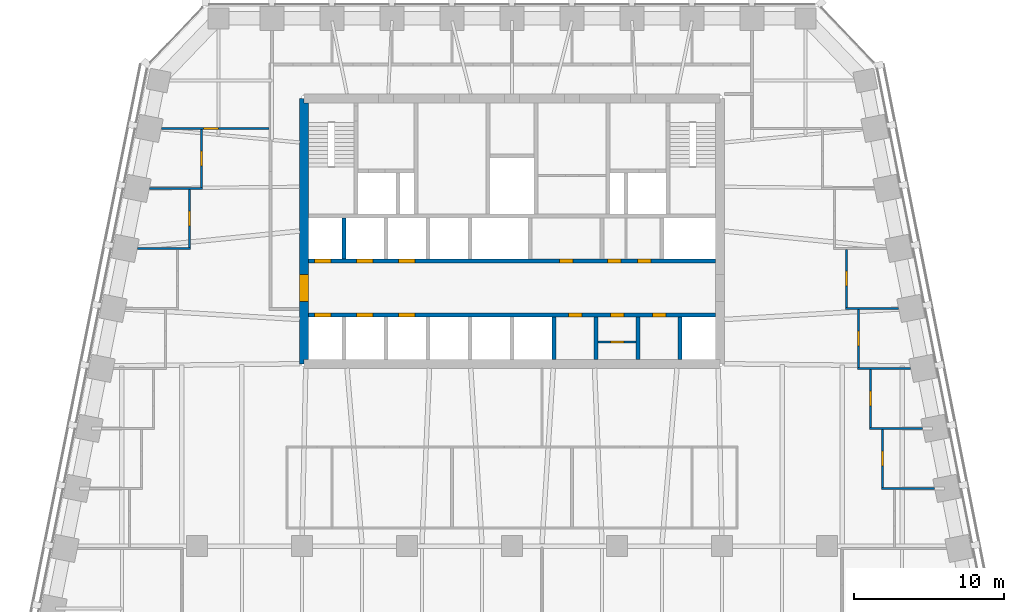
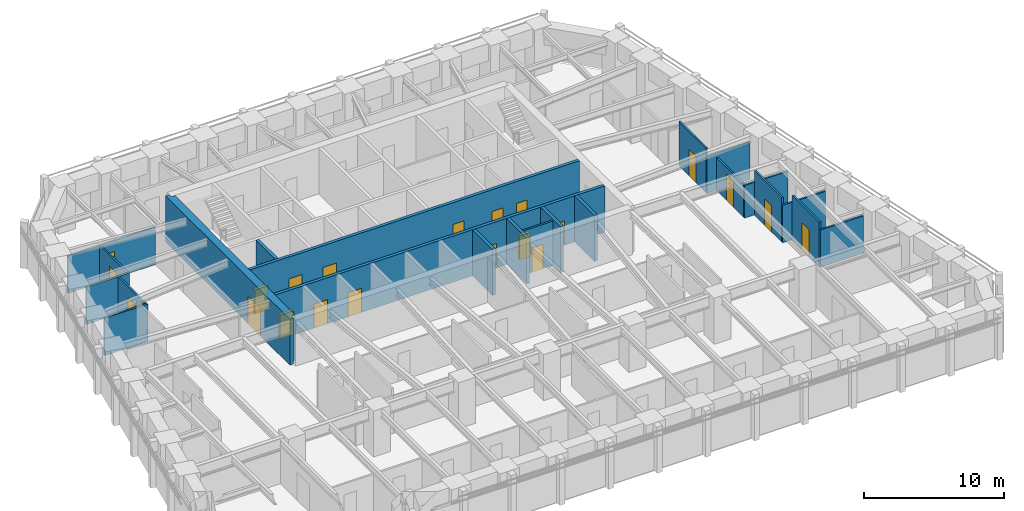
# One storey, part 7 of 11: 22 walls, 21 doors, 21 openings.
"""IFC4 building model written with IfcOpenShell, lengths in metres."""

from ifc_helpers import new_model, si_unit, direction, frame, frame_2d, origin, place, context, subcontext, project, spatial, polyline, rectangle, outline, extrude, material, layer, layer_set, type_object, element, fill, save


model = new_model("IFC4")

# Units and contexts
model_context = context("Model", 3, precision=1e-05, world=origin(), true_north=direction((0.0, 1.0)))
body_context = subcontext(model_context, "Body", "Model", "MODEL_VIEW")
ifc_project = project(units=[si_unit("LENGTHUNIT", "METRE"), si_unit("AREAUNIT", "SQUARE_METRE"), si_unit("VOLUMEUNIT", "CUBIC_METRE"), si_unit("PLANEANGLEUNIT", "RADIAN"), si_unit("MASSUNIT", "GRAM", prefix="KILO")], contexts=[model_context])

# Site, building, storey
site_placement = place(None, origin())
site = spatial("IfcSite", under=ifc_project, at=site_placement, CompositionType="ELEMENT")
building_placement = place(site_placement, origin())
building = spatial("IfcBuilding", under=site, at=building_placement, Name="Isbrekke Arena Tower", CompositionType="ELEMENT")
storey_placement = place(building_placement, frame((0.0, 0.0, 206.0)))
storey = spatial("IfcBuildingStorey", under=building, at=storey_placement, Name="L47", CompositionType="ELEMENT", Elevation=206.0)

# Wall, opening, door
ifc_material_1 = material(Name="Concrete B55 (C55/67)", Category="concrete")
ifc_layer_1 = layer(ifc_material_1, 0.60009765625)
ifc_layer_set_1 = layer_set([ifc_layer_1], Name="CW4 CORE WALL 600")
wall_type_1 = type_object("IfcWallType", Name="CW4 CORE WALL 600", PredefinedType="SHEAR", material=ifc_layer_set_1)
wall_1_placement = place(storey_placement, frame((-13.85009765625, 23.85009765625, 0.0), z_axis=(0.0, 0.0, 1.0), x_axis=(0.0, -1.0, 0.0)))
wall_1 = element("IfcWall", 1, at=wall_1_placement, inside=storey, type_object=wall_type_1, Name="Core wall W L47", PredefinedType="SHEAR", context=body_context, shape_type="SweptSolid", body=[
    extrude(outline(polyline([(0.0, -0.300048828125), (17.7001953125, -0.300048828125), (17.7001953125, 0.0), (17.400146484375, 0.0), (17.400146484375, 0.300048828125), (0.300048828125, 0.300048828125), (0.300048828125, 0.0), (0.0, 0.0), (0.0, -0.300048828125)])), origin(), (0.0, 0.0, 1.0), 4.0),
])
opening_1_placement = place(wall_1_placement, frame((11.75, 0.0, 0.0)))
opening_1 = element("IfcOpeningElement", 2, at=opening_1_placement, cuts=wall_1, Name="Opening D1", PredefinedType="OPENING", context=body_context, shape_type="SweptSolid", body=[
    extrude(rectangle(XDim=1.800048828125, YDim=2.39990234375, at=frame_2d((0.89990234375, 1.199951171875))), frame((0.0, 0.31494140625, 0.0), z_axis=(0.0, -1.0, 0.0), x_axis=(1.0, 0.0, 0.0)), (0.0, 0.0, 1.0), 0.6298828125),
])
ifc_material_2 = material(Name="Steel-framed glazed fire door", Category="steel")
door_type_1 = type_object("IfcDoorType", Name="D1 CORE LOBBY DOOR 1800 x 2400", OperationType="DOUBLE_DOOR_SINGLE_SWING", PredefinedType="DOOR", material=ifc_material_2)
door_1_placement = place(opening_1_placement, origin())
door_1 = element("IfcDoor", 3, at=door_1_placement, inside=storey, type_object=door_type_1, Name="D1 lift lobby door west L47", OperationType="DOUBLE_DOOR_SINGLE_SWING", OverallHeight=2.39990234375, OverallWidth=1.800048828125, PredefinedType="DOOR", context=body_context, shape_type="SweptSolid", body=[
    extrude(rectangle(XDim=1.800048828125, YDim=2.39990234375, at=frame_2d((0.89990234375, 1.199951171875))), frame((0.0, 0.2998046875, 0.0), z_axis=(0.0, -1.0, 0.0), x_axis=(1.0, 0.0, 0.0)), (0.0, 0.0, 1.0), 0.599609375),
])
fill(opening_1, door_1)

# Wall, openings, doors
ifc_material_3 = material(Name="Concrete B45 (C45/55)", Category="concrete")
ifc_layer_2 = layer(ifc_material_3, 0.25)
ifc_layer_set_2 = layer_set([ifc_layer_2], Name="CW6 SHAFT WALL 250")
wall_type_2 = type_object("IfcWallType", Name="CW6 SHAFT WALL 250", PredefinedType="SHEAR", material=ifc_layer_set_2)
wall_2_placement = place(storey_placement, frame((-13.550048828125, 9.39990234375, 0.0), z_axis=(0.0, 0.0, 1.0), x_axis=(1.0, 0.0, 0.0)))
wall_2 = element("IfcWall", 4, at=wall_2_placement, inside=storey, type_object=wall_type_2, Name="Core wall LS L47", PredefinedType="SHEAR", context=body_context, shape_type="SweptSolid", body=[
    extrude(rectangle(XDim=27.10009765625, YDim=0.25, at=frame_2d((13.550048828125, 0.0))), origin(), (0.0, 0.0, 1.0), 4.0),
])
opening_2_placement = place(wall_2_placement, frame((0.39990234375, 0.0, 0.0)))
opening_2 = element("IfcOpeningElement", 5, at=opening_2_placement, cuts=wall_2, Name="Opening LD1", PredefinedType="OPENING", context=body_context, shape_type="SweptSolid", body=[
    extrude(rectangle(XDim=1.10009765625, YDim=2.10009765625, at=frame_2d((0.550048828125, 1.050048828125))), frame((0.0, 0.139892578125, 0.0), z_axis=(0.0, -1.0, 0.0), x_axis=(1.0, 0.0, 0.0)), (0.0, 0.0, 1.0), 0.27978515625),
])
opening_3_placement = place(wall_2_placement, frame((3.199951171875, 0.0, 0.0)))
opening_3 = element("IfcOpeningElement", 6, at=opening_3_placement, cuts=wall_2, Name="Opening LD1", PredefinedType="OPENING", context=body_context, shape_type="SweptSolid", body=[
    extrude(rectangle(XDim=1.10009765625, YDim=2.10009765625, at=frame_2d((0.550048828125, 1.050048828125))), frame((0.0, 0.139892578125, 0.0), z_axis=(0.0, -1.0, 0.0), x_axis=(1.0, 0.0, 0.0)), (0.0, 0.0, 1.0), 0.27978515625),
])
opening_4_placement = place(wall_2_placement, frame((6.0, 0.0, 0.0)))
opening_4 = element("IfcOpeningElement", 7, at=opening_4_placement, cuts=wall_2, Name="Opening LD1", PredefinedType="OPENING", context=body_context, shape_type="SweptSolid", body=[
    extrude(rectangle(XDim=1.10009765625, YDim=2.10009765625, at=frame_2d((0.550048828125, 1.050048828125))), frame((0.0, 0.139892578125, 0.0), z_axis=(0.0, -1.0, 0.0), x_axis=(1.0, 0.0, 0.0)), (0.0, 0.0, 1.0), 0.27978515625),
])
opening_5_placement = place(wall_2_placement, frame((17.300048828125, 0.0, 0.0)))
opening_5 = element("IfcOpeningElement", 8, at=opening_5_placement, cuts=wall_2, Name="Opening D5", PredefinedType="OPENING", context=body_context, shape_type="SweptSolid", body=[
    extrude(rectangle(XDim=0.89990234375, YDim=2.10009765625, at=frame_2d((0.449951171875, 1.050048828125))), frame((0.0, 0.139892578125, 0.0), z_axis=(0.0, -1.0, 0.0), x_axis=(1.0, 0.0, 0.0)), (0.0, 0.0, 1.0), 0.27978515625),
])
opening_6_placement = place(wall_2_placement, frame((20.10009765625, 0.0, 0.0)))
opening_6 = element("IfcOpeningElement", 9, at=opening_6_placement, cuts=wall_2, Name="Opening D5", PredefinedType="OPENING", context=body_context, shape_type="SweptSolid", body=[
    extrude(rectangle(XDim=0.89990234375, YDim=2.10009765625, at=frame_2d((0.449951171875, 1.050048828125))), frame((0.0, 0.139892578125, 0.0), z_axis=(0.0, -1.0, 0.0), x_axis=(1.0, 0.0, 0.0)), (0.0, 0.0, 1.0), 0.27978515625),
])
opening_7_placement = place(wall_2_placement, frame((22.89990234375, 0.0, 0.0)))
opening_7 = element("IfcOpeningElement", 10, at=opening_7_placement, cuts=wall_2, Name="Opening D5", PredefinedType="OPENING", context=body_context, shape_type="SweptSolid", body=[
    extrude(rectangle(XDim=0.89990234375, YDim=2.10009765625, at=frame_2d((0.449951171875, 1.050048828125))), frame((0.0, 0.139892578125, 0.0), z_axis=(0.0, -1.0, 0.0), x_axis=(1.0, 0.0, 0.0)), (0.0, 0.0, 1.0), 0.27978515625),
])
ifc_material_4 = material(Name="Steel fire door", Category="steel")
door_type_2 = type_object("IfcDoorType", Name="D5 SERVICE DOOR 900 x 2100", OperationType="SINGLE_SWING_LEFT", PredefinedType="DOOR", material=ifc_material_4)
door_2_placement = place(opening_5_placement, origin())
door_2 = element("IfcDoor", 11, at=door_2_placement, inside=storey, type_object=door_type_2, Name="D5 archive door L47", OperationType="SINGLE_SWING_LEFT", OverallHeight=2.10009765625, OverallWidth=0.89990234375, PredefinedType="DOOR", context=body_context, shape_type="SweptSolid", body=[
    extrude(rectangle(XDim=0.89990234375, YDim=2.10009765625, at=frame_2d((0.449951171875, 1.050048828125))), frame((0.0, 0.124755859375, 0.0), z_axis=(0.0, -1.0, 0.0), x_axis=(1.0, 0.0, 0.0)), (0.0, 0.0, 1.0), 0.24951171875),
])
fill(opening_5, door_2)
door_3_placement = place(opening_6_placement, origin())
door_3 = element("IfcDoor", 12, at=door_3_placement, inside=storey, type_object=door_type_2, Name="D5 mothers' room door L47", OperationType="SINGLE_SWING_LEFT", OverallHeight=2.10009765625, OverallWidth=0.89990234375, PredefinedType="DOOR", context=body_context, shape_type="SweptSolid", body=[
    extrude(rectangle(XDim=0.89990234375, YDim=2.10009765625, at=frame_2d((0.449951171875, 1.050048828125))), frame((0.0, 0.124755859375, 0.0), z_axis=(0.0, -1.0, 0.0), x_axis=(1.0, 0.0, 0.0)), (0.0, 0.0, 1.0), 0.24951171875),
])
fill(opening_6, door_3)
door_4_placement = place(opening_7_placement, origin())
door_4 = element("IfcDoor", 13, at=door_4_placement, inside=storey, type_object=door_type_2, Name="D5 technical room door L47", OperationType="SINGLE_SWING_LEFT", OverallHeight=2.10009765625, OverallWidth=0.89990234375, PredefinedType="DOOR", context=body_context, shape_type="SweptSolid", body=[
    extrude(rectangle(XDim=0.89990234375, YDim=2.10009765625, at=frame_2d((0.449951171875, 1.050048828125))), frame((0.0, 0.124755859375, 0.0), z_axis=(0.0, -1.0, 0.0), x_axis=(1.0, 0.0, 0.0)), (0.0, 0.0, 1.0), 0.24951171875),
])
fill(opening_7, door_4)
ifc_material_5 = material(Name="Stainless steel lift landing door", Category="steel")
door_type_3 = type_object("IfcDoorType", Name="LD1 LIFT LANDING DOOR 1100 x 2100", OperationType="SLIDING_TO_LEFT", PredefinedType="DOOR", material=ifc_material_5)
door_5_placement = place(opening_2_placement, origin())
door_5 = element("IfcDoor", 14, at=door_5_placement, inside=storey, type_object=door_type_3, Name="LD1 lift landing door LC L47", OperationType="SLIDING_TO_LEFT", OverallHeight=2.10009765625, OverallWidth=1.10009765625, PredefinedType="DOOR", context=body_context, shape_type="SweptSolid", body=[
    extrude(rectangle(XDim=1.10009765625, YDim=2.10009765625, at=frame_2d((0.550048828125, 1.050048828125))), frame((0.0, 0.124755859375, 0.0), z_axis=(0.0, -1.0, 0.0), x_axis=(1.0, 0.0, 0.0)), (0.0, 0.0, 1.0), 0.24951171875),
])
fill(opening_2, door_5)
door_6_placement = place(opening_3_placement, origin())
door_6 = element("IfcDoor", 15, at=door_6_placement, inside=storey, type_object=door_type_3, Name="LD1 lift landing door LC L47", OperationType="SLIDING_TO_LEFT", OverallHeight=2.10009765625, OverallWidth=1.10009765625, PredefinedType="DOOR", context=body_context, shape_type="SweptSolid", body=[
    extrude(rectangle(XDim=1.10009765625, YDim=2.10009765625, at=frame_2d((0.550048828125, 1.050048828125))), frame((0.0, 0.124755859375, 0.0), z_axis=(0.0, -1.0, 0.0), x_axis=(1.0, 0.0, 0.0)), (0.0, 0.0, 1.0), 0.24951171875),
])
fill(opening_3, door_6)
door_7_placement = place(opening_4_placement, origin())
door_7 = element("IfcDoor", 16, at=door_7_placement, inside=storey, type_object=door_type_3, Name="LD1 lift landing door LC L47", OperationType="SLIDING_TO_LEFT", OverallHeight=2.10009765625, OverallWidth=1.10009765625, PredefinedType="DOOR", context=body_context, shape_type="SweptSolid", body=[
    extrude(rectangle(XDim=1.10009765625, YDim=2.10009765625, at=frame_2d((0.550048828125, 1.050048828125))), frame((0.0, 0.124755859375, 0.0), z_axis=(0.0, -1.0, 0.0), x_axis=(1.0, 0.0, 0.0)), (0.0, 0.0, 1.0), 0.24951171875),
])
fill(opening_4, door_7)

wall_3_placement = place(storey_placement, frame((-13.550048828125, 13.0, 0.0), z_axis=(0.0, 0.0, 1.0), x_axis=(1.0, 0.0, 0.0)))
wall_3 = element("IfcWall", 17, at=wall_3_placement, inside=storey, type_object=wall_type_2, Name="Core wall LN L47", PredefinedType="SHEAR", context=body_context, shape_type="SweptSolid", body=[
    extrude(rectangle(XDim=27.10009765625, YDim=0.25, at=frame_2d((13.550048828125, 0.0))), origin(), (0.0, 0.0, 1.0), 4.0),
])
opening_8_placement = place(wall_3_placement, frame((0.39990234375, 0.0, 0.0)))
opening_8 = element("IfcOpeningElement", 18, at=opening_8_placement, cuts=wall_3, Name="Opening LD1", PredefinedType="OPENING", context=body_context, shape_type="SweptSolid", body=[
    extrude(rectangle(XDim=1.10009765625, YDim=2.10009765625, at=frame_2d((0.550048828125, 1.050048828125))), frame((0.0, 0.139892578125, 0.0), z_axis=(0.0, -1.0, 0.0), x_axis=(1.0, 0.0, 0.0)), (0.0, 0.0, 1.0), 0.27978515625),
])
opening_9_placement = place(wall_3_placement, frame((3.199951171875, 0.0, 0.0)))
opening_9 = element("IfcOpeningElement", 19, at=opening_9_placement, cuts=wall_3, Name="Opening LD1", PredefinedType="OPENING", context=body_context, shape_type="SweptSolid", body=[
    extrude(rectangle(XDim=1.10009765625, YDim=2.10009765625, at=frame_2d((0.550048828125, 1.050048828125))), frame((0.0, 0.139892578125, 0.0), z_axis=(0.0, -1.0, 0.0), x_axis=(1.0, 0.0, 0.0)), (0.0, 0.0, 1.0), 0.27978515625),
])
opening_10_placement = place(wall_3_placement, frame((6.0, 0.0, 0.0)))
opening_10 = element("IfcOpeningElement", 20, at=opening_10_placement, cuts=wall_3, Name="Opening LD1", PredefinedType="OPENING", context=body_context, shape_type="SweptSolid", body=[
    extrude(rectangle(XDim=1.10009765625, YDim=2.10009765625, at=frame_2d((0.550048828125, 1.050048828125))), frame((0.0, 0.139892578125, 0.0), z_axis=(0.0, -1.0, 0.0), x_axis=(1.0, 0.0, 0.0)), (0.0, 0.0, 1.0), 0.27978515625),
])
opening_11_placement = place(wall_3_placement, frame((16.699951171875, 0.0, 0.0)))
opening_11 = element("IfcOpeningElement", 21, at=opening_11_placement, cuts=wall_3, Name="Opening D5", PredefinedType="OPENING", context=body_context, shape_type="SweptSolid", body=[
    extrude(rectangle(XDim=0.89990234375, YDim=2.10009765625, at=frame_2d((0.449951171875, 1.050048828125))), frame((0.0, 0.139892578125, 0.0), z_axis=(0.0, -1.0, 0.0), x_axis=(1.0, 0.0, 0.0)), (0.0, 0.0, 1.0), 0.27978515625),
])
opening_12_placement = place(wall_3_placement, frame((19.89990234375, 0.0, 0.0)))
opening_12 = element("IfcOpeningElement", 22, at=opening_12_placement, cuts=wall_3, Name="Opening D5", PredefinedType="OPENING", context=body_context, shape_type="SweptSolid", body=[
    extrude(rectangle(XDim=0.89990234375, YDim=2.10009765625, at=frame_2d((0.449951171875, 1.050048828125))), frame((0.0, 0.139892578125, 0.0), z_axis=(0.0, -1.0, 0.0), x_axis=(1.0, 0.0, 0.0)), (0.0, 0.0, 1.0), 0.27978515625),
])
opening_13_placement = place(wall_3_placement, frame((21.89990234375, 0.0, 0.0)))
opening_13 = element("IfcOpeningElement", 23, at=opening_13_placement, cuts=wall_3, Name="Opening D5", PredefinedType="OPENING", context=body_context, shape_type="SweptSolid", body=[
    extrude(rectangle(XDim=0.89990234375, YDim=2.10009765625, at=frame_2d((0.449951171875, 1.050048828125))), frame((0.0, 0.139892578125, 0.0), z_axis=(0.0, -1.0, 0.0), x_axis=(1.0, 0.0, 0.0)), (0.0, 0.0, 1.0), 0.27978515625),
])
door_8_placement = place(opening_11_placement, origin())
door_8 = element("IfcDoor", 24, at=door_8_placement, inside=storey, type_object=door_type_2, Name="D5 meeting room door L47", OperationType="SINGLE_SWING_LEFT", OverallHeight=2.10009765625, OverallWidth=0.89990234375, PredefinedType="DOOR", context=body_context, shape_type="SweptSolid", body=[
    extrude(rectangle(XDim=0.89990234375, YDim=2.10009765625, at=frame_2d((0.449951171875, 1.050048828125))), frame((0.0, 0.124755859375, 0.0), z_axis=(0.0, -1.0, 0.0), x_axis=(1.0, 0.0, 0.0)), (0.0, 0.0, 1.0), 0.24951171875),
])
fill(opening_11, door_8)
door_9_placement = place(opening_12_placement, origin())
door_9 = element("IfcDoor", 25, at=door_9_placement, inside=storey, type_object=door_type_2, Name="D5 cleaner's store door L47", OperationType="SINGLE_SWING_LEFT", OverallHeight=2.10009765625, OverallWidth=0.89990234375, PredefinedType="DOOR", context=body_context, shape_type="SweptSolid", body=[
    extrude(rectangle(XDim=0.89990234375, YDim=2.10009765625, at=frame_2d((0.449951171875, 1.050048828125))), frame((0.0, 0.124755859375, 0.0), z_axis=(0.0, -1.0, 0.0), x_axis=(1.0, 0.0, 0.0)), (0.0, 0.0, 1.0), 0.24951171875),
])
fill(opening_12, door_9)
door_10_placement = place(opening_13_placement, origin())
door_10 = element("IfcDoor", 26, at=door_10_placement, inside=storey, type_object=door_type_2, Name="D5 communications room door L47", OperationType="SINGLE_SWING_LEFT", OverallHeight=2.10009765625, OverallWidth=0.89990234375, PredefinedType="DOOR", context=body_context, shape_type="SweptSolid", body=[
    extrude(rectangle(XDim=0.89990234375, YDim=2.10009765625, at=frame_2d((0.449951171875, 1.050048828125))), frame((0.0, 0.124755859375, 0.0), z_axis=(0.0, -1.0, 0.0), x_axis=(1.0, 0.0, 0.0)), (0.0, 0.0, 1.0), 0.24951171875),
])
fill(opening_13, door_10)
door_11_placement = place(opening_8_placement, origin())
door_11 = element("IfcDoor", 27, at=door_11_placement, inside=storey, type_object=door_type_3, Name="LD1 lift landing door LC L47", OperationType="SLIDING_TO_LEFT", OverallHeight=2.10009765625, OverallWidth=1.10009765625, PredefinedType="DOOR", context=body_context, shape_type="SweptSolid", body=[
    extrude(rectangle(XDim=1.10009765625, YDim=2.10009765625, at=frame_2d((0.550048828125, 1.050048828125))), frame((0.0, 0.124755859375, 0.0), z_axis=(0.0, -1.0, 0.0), x_axis=(1.0, 0.0, 0.0)), (0.0, 0.0, 1.0), 0.24951171875),
])
fill(opening_8, door_11)
door_12_placement = place(opening_9_placement, origin())
door_12 = element("IfcDoor", 28, at=door_12_placement, inside=storey, type_object=door_type_3, Name="LD1 lift landing door LC L47", OperationType="SLIDING_TO_LEFT", OverallHeight=2.10009765625, OverallWidth=1.10009765625, PredefinedType="DOOR", context=body_context, shape_type="SweptSolid", body=[
    extrude(rectangle(XDim=1.10009765625, YDim=2.10009765625, at=frame_2d((0.550048828125, 1.050048828125))), frame((0.0, 0.124755859375, 0.0), z_axis=(0.0, -1.0, 0.0), x_axis=(1.0, 0.0, 0.0)), (0.0, 0.0, 1.0), 0.24951171875),
])
fill(opening_9, door_12)
door_13_placement = place(opening_10_placement, origin())
door_13 = element("IfcDoor", 29, at=door_13_placement, inside=storey, type_object=door_type_3, Name="LD1 lift landing door LC L47", OperationType="SLIDING_TO_LEFT", OverallHeight=2.10009765625, OverallWidth=1.10009765625, PredefinedType="DOOR", context=body_context, shape_type="SweptSolid", body=[
    extrude(rectangle(XDim=1.10009765625, YDim=2.10009765625, at=frame_2d((0.550048828125, 1.050048828125))), frame((0.0, 0.124755859375, 0.0), z_axis=(0.0, -1.0, 0.0), x_axis=(1.0, 0.0, 0.0)), (0.0, 0.0, 1.0), 0.24951171875),
])
fill(opening_10, door_13)

# Walls
for number, where, z_axis, x_axis, name in (
    (30, (2.800048828125, 6.449951171875, 0.0), (0.0, 0.0, 1.0), (0.0, 1.0, 0.0), "Core wall SS06 L47"),
    (31, (5.60009765625, 6.449951171875, 0.0), (0.0, 0.0, 1.0), (0.0, 1.0, 0.0), "Core wall SS07 L47"),
    (32, (8.39990234375, 6.449951171875, 0.0), (0.0, 0.0, 1.0), (0.0, 1.0, 0.0), "Core wall SS08 L47"),
    (33, (11.199951171875, 6.449951171875, 0.0), (0.0, 0.0, 1.0), (0.0, 1.0, 0.0), "Core wall SS09 L47"),
):
    element("IfcWall", number, at=place(storey_placement, frame(where, z_axis=z_axis, x_axis=x_axis)), inside=storey, type_object=wall_type_2, Name=name, PredefinedType="SHEAR", context=body_context, shape_type="SweptSolid", body=[
        extrude(rectangle(XDim=2.824951171875, YDim=0.25, at=frame_2d((1.41259765625, 0.0))), origin(), (0.0, 0.0, 1.0), 4.0),
    ])
wall_4_placement = place(storey_placement, frame((-11.199951171875, 13.125, 0.0), z_axis=(0.0, 0.0, 1.0), x_axis=(0.0, 1.0, 0.0)))
element("IfcWall", 34, at=wall_4_placement, inside=storey, type_object=wall_type_2, Name="Core wall SN01 L47", PredefinedType="SHEAR", context=body_context, shape_type="SweptSolid", body=[
    extrude(rectangle(XDim=2.75, YDim=0.25, at=frame_2d((1.375, 0.0))), origin(), (0.0, 0.0, 1.0), 4.0),
])
ifc_material_6 = material(Name="Gypsum board partition on steel studs", Category="steel")
ifc_layer_3 = layer(ifc_material_6, 0.14990234375)
ifc_layer_set_3 = layer_set([ifc_layer_3], Name="IW1 PARTITION 150")
wall_type_3 = type_object("IfcWallType", Name="IW1 PARTITION 150", PredefinedType="PARTITIONING", material=ifc_layer_set_3)
for number, where, z_axis, x_axis, name in (
    (35, (24.625, -2.159912109375, 0.0), (0.0, 0.0, 1.0), (1.0, 0.0, 0.0), "IW1 partition 150 L47"),
    (36, (23.824951171875, 1.840087890625, 0.0), (0.0, 0.0, 1.0), (1.0, 0.0, 0.0), "IW1 partition 150 L47"),
):
    element("IfcWall", number, at=place(storey_placement, frame(where, z_axis=z_axis, x_axis=x_axis)), inside=storey, type_object=wall_type_3, Name=name, PredefinedType="PARTITIONING", context=body_context, shape_type="SweptSolid", body=[
        extrude(rectangle(XDim=3.5498046875, YDim=0.14990234375, at=frame_2d((1.77490234375, 0.0))), origin(), (0.0, 0.0, 1.0), 3.25),
    ])
wall_5_placement = place(storey_placement, frame((23.02490234375, 5.840087890625, 0.0), z_axis=(0.0, 0.0, 1.0), x_axis=(1.0, 0.0, 0.0)))
element("IfcWall", 37, at=wall_5_placement, inside=storey, type_object=wall_type_3, Name="IW1 partition 150 L47", PredefinedType="PARTITIONING", context=body_context, shape_type="SweptSolid", body=[
    extrude(rectangle(XDim=3.5498046875, YDim=0.14990234375, at=frame_2d((1.77490234375, 0.0))), origin(), (0.0, 0.0, 1.0), 2.842041015625),
])
for number, where, z_axis, x_axis, name in (
    (38, (22.22509765625, 9.840087890625, 0.0), (0.0, 0.0, 1.0), (1.0, 0.0, 0.0), "IW1 partition 150 L47"),
    (39, (-24.974853515625, 13.840087890625, 0.0), (0.0, 0.0, 1.0), (1.0, 0.0, 0.0), "IW1 partition 150 L47"),
    (40, (-24.1748046875, 17.840087890625, 0.0), (0.0, 0.0, 1.0), (1.0, 0.0, 0.0), "IW1 partition 150 L47"),
):
    element("IfcWall", number, at=place(storey_placement, frame(where, z_axis=z_axis, x_axis=x_axis)), inside=storey, type_object=wall_type_3, Name=name, PredefinedType="PARTITIONING", context=body_context, shape_type="SweptSolid", body=[
        extrude(rectangle(XDim=3.5498046875, YDim=0.14990234375, at=frame_2d((1.77490234375, 0.0))), origin(), (0.0, 0.0, 1.0), 3.25),
    ])

# Wall, opening, door
wall_6_placement = place(storey_placement, frame((-23.374755859375, 21.840087890625, 0.0), z_axis=(0.0, 0.0, 1.0), x_axis=(1.0, 0.0, 0.0)))
wall_6 = element("IfcWall", 41, at=wall_6_placement, inside=storey, type_object=wall_type_3, Name="IW1 partition 150 L47", PredefinedType="PARTITIONING", context=body_context, shape_type="SweptSolid", body=[
    extrude(rectangle(XDim=7.1748046875, YDim=0.14990234375, at=frame_2d((3.58740234375, 0.0))), origin(), (0.0, 0.0, 1.0), 3.25),
])
opening_14_placement = place(wall_6_placement, frame((2.815673828125, 0.0, 0.0)))
opening_14 = element("IfcOpeningElement", 42, at=opening_14_placement, cuts=wall_6, Name="Opening D10", PredefinedType="OPENING", context=body_context, shape_type="SweptSolid", body=[
    extrude(rectangle(XDim=1.0, YDim=2.300048828125, at=frame_2d((0.5, 1.14990234375))), frame((0.0, 0.08984375, 0.0), z_axis=(0.0, -1.0, 0.0), x_axis=(1.0, 0.0, 0.0)), (0.0, 0.0, 1.0), 0.1796875),
])
ifc_material_7 = material(Name="Timber door", Category="wood")
door_type_4 = type_object("IfcDoorType", Name="D10 OFFICE DOOR 1000 x 2300", OperationType="SINGLE_SWING_LEFT", PredefinedType="DOOR", material=ifc_material_7)
door_14_placement = place(opening_14_placement, origin())
door_14 = element("IfcDoor", 43, at=door_14_placement, inside=storey, type_object=door_type_4, Name="D10 office door L47", OperationType="SINGLE_SWING_LEFT", OverallHeight=2.300048828125, OverallWidth=1.0, PredefinedType="DOOR", context=body_context, shape_type="SweptSolid", body=[
    extrude(rectangle(XDim=1.0, YDim=2.300048828125, at=frame_2d((0.5, 1.14990234375))), frame((0.0, 0.07470703125, 0.0), z_axis=(0.0, -1.0, 0.0), x_axis=(1.0, 0.0, 0.0)), (0.0, 0.0, 1.0), 0.1494140625),
])
fill(opening_14, door_14)

wall_7_placement = place(storey_placement, frame((-21.5, 13.9150390625, 0.0), z_axis=(0.0, 0.0, 1.0), x_axis=(0.0, 1.0, 0.0)))
wall_7 = element("IfcWall", 44, at=wall_7_placement, inside=storey, type_object=wall_type_3, Name="IW1 partition 150 L47", PredefinedType="PARTITIONING", context=body_context, shape_type="SweptSolid", body=[
    extrude(rectangle(XDim=3.849853515625, YDim=0.14990234375, at=frame_2d((1.9248046875, 0.0))), origin(), (0.0, 0.0, 1.0), 3.25),
])
opening_15_placement = place(wall_7_placement, frame((1.425048828125, 0.0, 0.0)))
opening_15 = element("IfcOpeningElement", 45, at=opening_15_placement, cuts=wall_7, Name="Opening D10", PredefinedType="OPENING", context=body_context, shape_type="SweptSolid", body=[
    extrude(rectangle(XDim=1.0, YDim=2.300048828125, at=frame_2d((0.5, 1.14990234375))), frame((0.0, 0.08984375, 0.0), z_axis=(0.0, -1.0, 0.0), x_axis=(1.0, 0.0, 0.0)), (0.0, 0.0, 1.0), 0.1796875),
])
door_15_placement = place(opening_15_placement, origin())
door_15 = element("IfcDoor", 46, at=door_15_placement, inside=storey, type_object=door_type_4, Name="D10 office door L47", OperationType="SINGLE_SWING_LEFT", OverallHeight=2.300048828125, OverallWidth=1.0, PredefinedType="DOOR", context=body_context, shape_type="SweptSolid", body=[
    extrude(rectangle(XDim=1.0, YDim=2.300048828125, at=frame_2d((0.5, 1.14990234375))), frame((0.0, 0.07470703125, 0.0), z_axis=(0.0, -1.0, 0.0), x_axis=(1.0, 0.0, 0.0)), (0.0, 0.0, 1.0), 0.1494140625),
])
fill(opening_15, door_15)

wall_8_placement = place(storey_placement, frame((-20.699951171875, 17.9150390625, 0.0), z_axis=(0.0, 0.0, 1.0), x_axis=(0.0, 1.0, 0.0)))
wall_8 = element("IfcWall", 47, at=wall_8_placement, inside=storey, type_object=wall_type_3, Name="IW1 partition 150 L47", PredefinedType="PARTITIONING", context=body_context, shape_type="SweptSolid", body=[
    extrude(rectangle(XDim=3.849853515625, YDim=0.14990234375, at=frame_2d((1.9248046875, 0.0))), origin(), (0.0, 0.0, 1.0), 3.25),
])
opening_16_placement = place(wall_8_placement, frame((1.425048828125, 0.0, 0.0)))
opening_16 = element("IfcOpeningElement", 48, at=opening_16_placement, cuts=wall_8, Name="Opening D10", PredefinedType="OPENING", context=body_context, shape_type="SweptSolid", body=[
    extrude(rectangle(XDim=1.0, YDim=2.300048828125, at=frame_2d((0.5, 1.14990234375))), frame((0.0, 0.08984375, 0.0), z_axis=(0.0, -1.0, 0.0), x_axis=(1.0, 0.0, 0.0)), (0.0, 0.0, 1.0), 0.1796875),
])
door_16_placement = place(opening_16_placement, origin())
door_16 = element("IfcDoor", 49, at=door_16_placement, inside=storey, type_object=door_type_4, Name="D10 office door L47", OperationType="SINGLE_SWING_LEFT", OverallHeight=2.300048828125, OverallWidth=1.0, PredefinedType="DOOR", context=body_context, shape_type="SweptSolid", body=[
    extrude(rectangle(XDim=1.0, YDim=2.300048828125, at=frame_2d((0.5, 1.14990234375))), frame((0.0, 0.07470703125, 0.0), z_axis=(0.0, -1.0, 0.0), x_axis=(1.0, 0.0, 0.0)), (0.0, 0.0, 1.0), 0.1494140625),
])
fill(opening_16, door_16)

wall_9_placement = place(storey_placement, frame((22.300048828125, 9.9150390625, 0.0), z_axis=(0.0, 0.0, 1.0), x_axis=(0.0, 1.0, 0.0)))
wall_9 = element("IfcWall", 50, at=wall_9_placement, inside=storey, type_object=wall_type_3, Name="IW1 partition 150 L47", PredefinedType="PARTITIONING", context=body_context, shape_type="SweptSolid", body=[
    extrude(rectangle(XDim=3.849853515625, YDim=0.14990234375, at=frame_2d((1.9248046875, 0.0))), origin(), (0.0, 0.0, 1.0), 3.85009765625),
])
opening_17_placement = place(wall_9_placement, frame((1.425048828125, 0.0, 0.0)))
opening_17 = element("IfcOpeningElement", 51, at=opening_17_placement, cuts=wall_9, Name="Opening D10", PredefinedType="OPENING", context=body_context, shape_type="SweptSolid", body=[
    extrude(rectangle(XDim=1.0, YDim=2.300048828125, at=frame_2d((0.5, 1.14990234375))), frame((0.0, 0.08984375, 0.0), z_axis=(0.0, -1.0, 0.0), x_axis=(1.0, 0.0, 0.0)), (0.0, 0.0, 1.0), 0.1796875),
])
door_17_placement = place(opening_17_placement, origin())
door_17 = element("IfcDoor", 52, at=door_17_placement, inside=storey, type_object=door_type_4, Name="D10 office door L47", OperationType="SINGLE_SWING_LEFT", OverallHeight=2.300048828125, OverallWidth=1.0, PredefinedType="DOOR", context=body_context, shape_type="SweptSolid", body=[
    extrude(rectangle(XDim=1.0, YDim=2.300048828125, at=frame_2d((0.5, 1.14990234375))), frame((0.0, 0.07470703125, 0.0), z_axis=(0.0, -1.0, 0.0), x_axis=(1.0, 0.0, 0.0)), (0.0, 0.0, 1.0), 0.1494140625),
])
fill(opening_17, door_17)

wall_10_placement = place(storey_placement, frame((23.10009765625, 5.9150390625, 0.0), z_axis=(0.0, 0.0, 1.0), x_axis=(0.0, 1.0, 0.0)))
wall_10 = element("IfcWall", 53, at=wall_10_placement, inside=storey, type_object=wall_type_3, Name="IW1 partition 150 L47", PredefinedType="PARTITIONING", context=body_context, shape_type="SweptSolid", body=[
    extrude(rectangle(XDim=3.849853515625, YDim=0.14990234375, at=frame_2d((1.9248046875, 0.0))), origin(), (0.0, 0.0, 1.0), 2.842041015625),
])
opening_18_placement = place(wall_10_placement, frame((1.425048828125, 0.0, 0.0)))
opening_18 = element("IfcOpeningElement", 54, at=opening_18_placement, cuts=wall_10, Name="Opening D10", PredefinedType="OPENING", context=body_context, shape_type="SweptSolid", body=[
    extrude(rectangle(XDim=1.0, YDim=2.300048828125, at=frame_2d((0.5, 1.14990234375))), frame((0.0, 0.08984375, 0.0), z_axis=(0.0, -1.0, 0.0), x_axis=(1.0, 0.0, 0.0)), (0.0, 0.0, 1.0), 0.1796875),
])
door_18_placement = place(opening_18_placement, origin())
door_18 = element("IfcDoor", 55, at=door_18_placement, inside=storey, type_object=door_type_4, Name="D10 office door L47", OperationType="SINGLE_SWING_LEFT", OverallHeight=2.300048828125, OverallWidth=1.0, PredefinedType="DOOR", context=body_context, shape_type="SweptSolid", body=[
    extrude(rectangle(XDim=1.0, YDim=2.300048828125, at=frame_2d((0.5, 1.14990234375))), frame((0.0, 0.07470703125, 0.0), z_axis=(0.0, -1.0, 0.0), x_axis=(1.0, 0.0, 0.0)), (0.0, 0.0, 1.0), 0.1494140625),
])
fill(opening_18, door_18)

wall_11_placement = place(storey_placement, frame((23.89990234375, 1.9150390625, 0.0), z_axis=(0.0, 0.0, 1.0), x_axis=(0.0, 1.0, 0.0)))
wall_11 = element("IfcWall", 56, at=wall_11_placement, inside=storey, type_object=wall_type_3, Name="IW1 partition 150 L47", PredefinedType="PARTITIONING", context=body_context, shape_type="SweptSolid", body=[
    extrude(rectangle(XDim=3.849853515625, YDim=0.14990234375, at=frame_2d((1.9248046875, 0.0))), origin(), (0.0, 0.0, 1.0), 3.85009765625),
])
opening_19_placement = place(wall_11_placement, frame((1.425048828125, 0.0, 0.0)))
opening_19 = element("IfcOpeningElement", 57, at=opening_19_placement, cuts=wall_11, Name="Opening D10", PredefinedType="OPENING", context=body_context, shape_type="SweptSolid", body=[
    extrude(rectangle(XDim=1.0, YDim=2.300048828125, at=frame_2d((0.5, 1.14990234375))), frame((0.0, 0.08984375, 0.0), z_axis=(0.0, -1.0, 0.0), x_axis=(1.0, 0.0, 0.0)), (0.0, 0.0, 1.0), 0.1796875),
])
door_19_placement = place(opening_19_placement, origin())
door_19 = element("IfcDoor", 58, at=door_19_placement, inside=storey, type_object=door_type_4, Name="D10 office door L47", OperationType="SINGLE_SWING_LEFT", OverallHeight=2.300048828125, OverallWidth=1.0, PredefinedType="DOOR", context=body_context, shape_type="SweptSolid", body=[
    extrude(rectangle(XDim=1.0, YDim=2.300048828125, at=frame_2d((0.5, 1.14990234375))), frame((0.0, 0.07470703125, 0.0), z_axis=(0.0, -1.0, 0.0), x_axis=(1.0, 0.0, 0.0)), (0.0, 0.0, 1.0), 0.1494140625),
])
fill(opening_19, door_19)

wall_12_placement = place(storey_placement, frame((24.699951171875, -2.0849609375, 0.0), z_axis=(0.0, 0.0, 1.0), x_axis=(0.0, 1.0, 0.0)))
wall_12 = element("IfcWall", 59, at=wall_12_placement, inside=storey, type_object=wall_type_3, Name="IW1 partition 150 L47", PredefinedType="PARTITIONING", context=body_context, shape_type="SweptSolid", body=[
    extrude(rectangle(XDim=3.849853515625, YDim=0.14990234375, at=frame_2d((1.9248046875, 0.0))), origin(), (0.0, 0.0, 1.0), 3.85009765625),
])
opening_20_placement = place(wall_12_placement, frame((1.425048828125, 0.0, 0.0)))
opening_20 = element("IfcOpeningElement", 60, at=opening_20_placement, cuts=wall_12, Name="Opening D10", PredefinedType="OPENING", context=body_context, shape_type="SweptSolid", body=[
    extrude(rectangle(XDim=1.0, YDim=2.300048828125, at=frame_2d((0.5, 1.14990234375))), frame((0.0, 0.08984375, 0.0), z_axis=(0.0, -1.0, 0.0), x_axis=(1.0, 0.0, 0.0)), (0.0, 0.0, 1.0), 0.1796875),
])
door_20_placement = place(opening_20_placement, origin())
door_20 = element("IfcDoor", 61, at=door_20_placement, inside=storey, type_object=door_type_4, Name="D10 office door L47", OperationType="SINGLE_SWING_LEFT", OverallHeight=2.300048828125, OverallWidth=1.0, PredefinedType="DOOR", context=body_context, shape_type="SweptSolid", body=[
    extrude(rectangle(XDim=1.0, YDim=2.300048828125, at=frame_2d((0.5, 1.14990234375))), frame((0.0, 0.07470703125, 0.0), z_axis=(0.0, -1.0, 0.0), x_axis=(1.0, 0.0, 0.0)), (0.0, 0.0, 1.0), 0.1494140625),
])
fill(opening_20, door_20)

ifc_material_8 = material(Name="Gypsum board fire-rated partition on steel studs, two layers each side", Category="steel")
ifc_layer_4 = layer(ifc_material_8, 0.14990234375)
ifc_layer_set_4 = layer_set([ifc_layer_4], Name="IW5 FIRE-RATED PARTITION 150")
wall_type_4 = type_object("IfcWallType", Name="IW5 FIRE-RATED PARTITION 150", PredefinedType="PARTITIONING", material=ifc_layer_set_4)
wall_13_placement = place(storey_placement, frame((5.72509765625, 7.60009765625, 0.0), z_axis=(0.0, 0.0, 1.0), x_axis=(1.0, 0.0, 0.0)))
wall_13 = element("IfcWall", 62, at=wall_13_placement, inside=storey, type_object=wall_type_4, Name="IW5 fire-rated partition L47 core service rooms 2", PredefinedType="PARTITIONING", context=body_context, shape_type="SweptSolid", body=[
    extrude(rectangle(XDim=2.5498046875, YDim=0.14990234375, at=frame_2d((1.27490234375, 0.0))), origin(), (0.0, 0.0, 1.0), 3.85009765625),
])
opening_21_placement = place(wall_13_placement, frame((0.824951171875, 0.0, 0.0)))
opening_21 = element("IfcOpeningElement", 63, at=opening_21_placement, cuts=wall_13, Name="Opening D5", PredefinedType="OPENING", context=body_context, shape_type="SweptSolid", body=[
    extrude(rectangle(XDim=0.89990234375, YDim=2.10009765625, at=frame_2d((0.449951171875, 1.050048828125))), frame((0.0, 0.08984375, 0.0), z_axis=(0.0, -1.0, 0.0), x_axis=(1.0, 0.0, 0.0)), (0.0, 0.0, 1.0), 0.1796875),
])
door_21_placement = place(opening_21_placement, origin())
door_21 = element("IfcDoor", 64, at=door_21_placement, inside=storey, type_object=door_type_2, Name="D5 tenant store door L47", OperationType="SINGLE_SWING_LEFT", OverallHeight=2.10009765625, OverallWidth=0.89990234375, PredefinedType="DOOR", context=body_context, shape_type="SweptSolid", body=[
    extrude(rectangle(XDim=0.89990234375, YDim=2.10009765625, at=frame_2d((0.449951171875, 1.050048828125))), frame((0.0, 0.07470703125, 0.0), z_axis=(0.0, -1.0, 0.0), x_axis=(1.0, 0.0, 0.0)), (0.0, 0.0, 1.0), 0.1494140625),
])
fill(opening_21, door_21)

save(model, "model.ifc")
